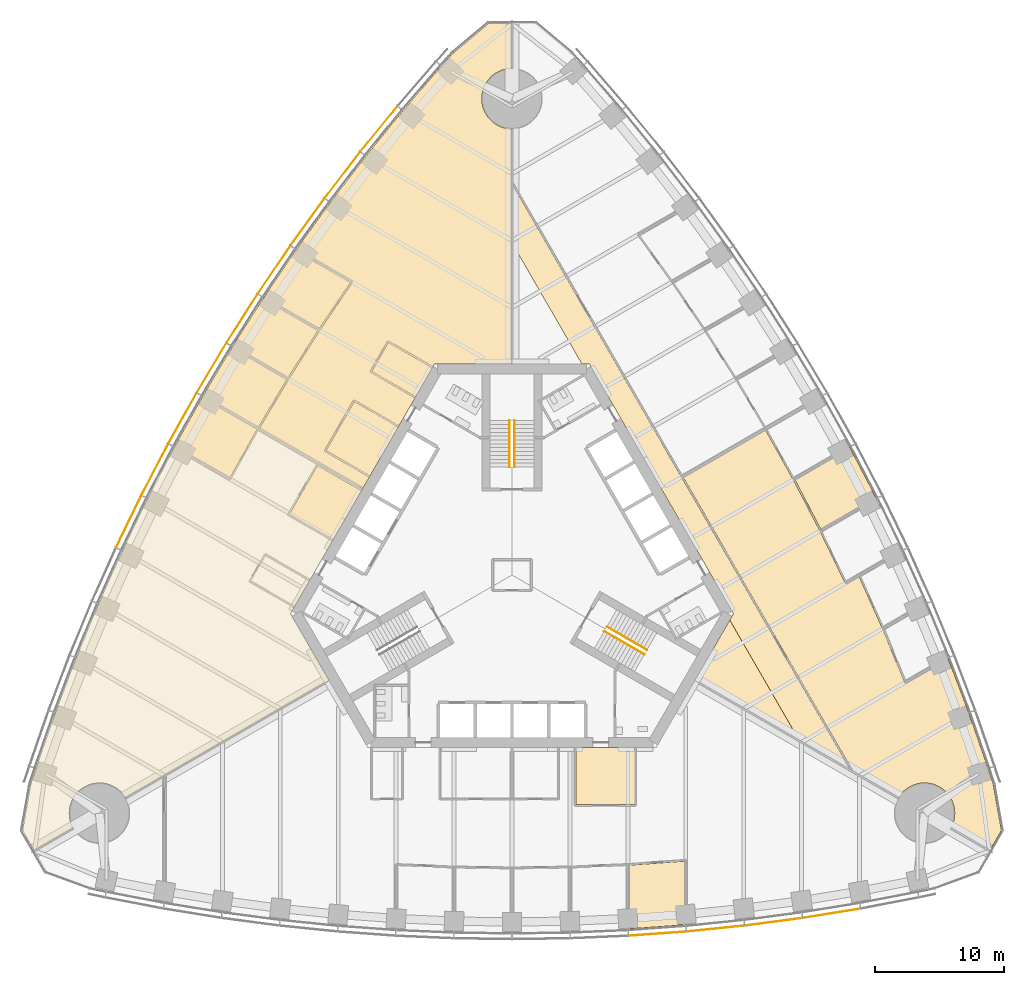
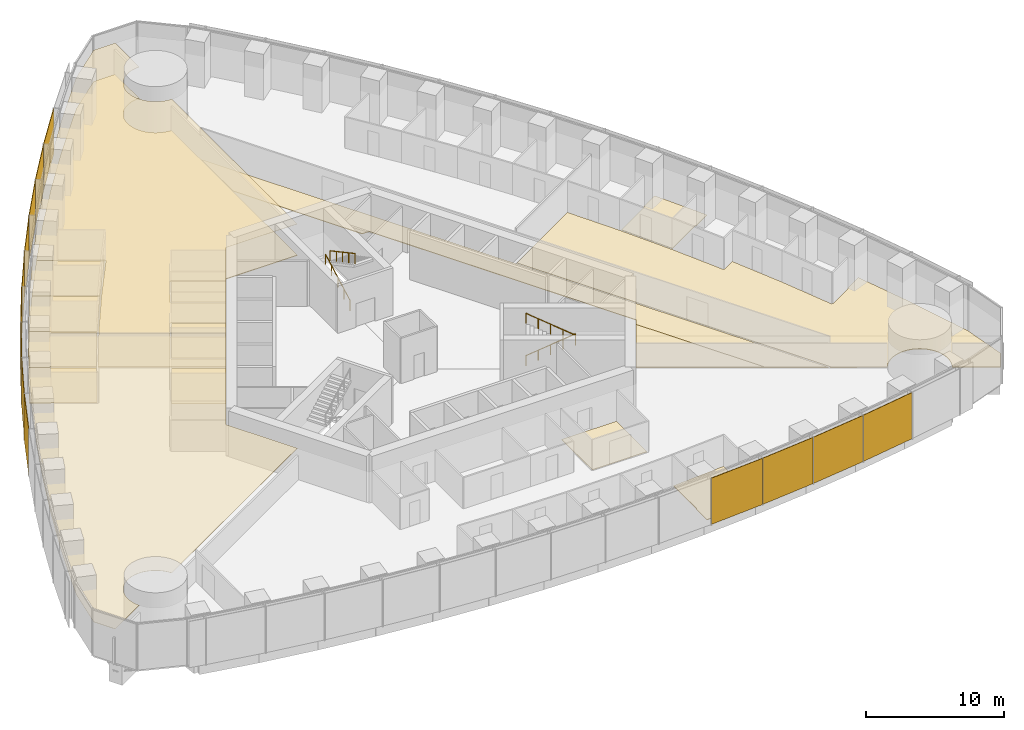
# One storey, part 15 of 18: 15 coverings, 13 shading devices, 4 railings.
"""IFC4 building model written with IfcOpenShell, lengths in metres."""

from ifc_helpers import new_model, si_unit, direction, frame, origin, origin_2d, place, context, subcontext, project, spatial, polyline, rectangle, circle, outline, extrude, material, layer, layer_set, type_object, element, save


model = new_model("IFC4")

# Units and contexts
model_context = context("Model", 3, precision=1e-05, world=origin(), true_north=direction((0.0, 1.0)))
body_context = subcontext(model_context, "Body", "Model", "MODEL_VIEW")
ifc_project = project(units=[si_unit("LENGTHUNIT", "METRE"), si_unit("AREAUNIT", "SQUARE_METRE"), si_unit("VOLUMEUNIT", "CUBIC_METRE"), si_unit("PLANEANGLEUNIT", "RADIAN"), si_unit("MASSUNIT", "GRAM", prefix="KILO")], contexts=[model_context])

# Site, building, storey
site_placement = place(None, origin())
site = spatial("IfcSite", under=ifc_project, at=site_placement, CompositionType="ELEMENT")
building_placement = place(site_placement, origin())
building = spatial("IfcBuilding", under=site, at=building_placement, Name="Trefoil Bronze Tower", CompositionType="ELEMENT")
storey_placement = place(building_placement, frame((0.0, 0.0, 41.699951171875)))
storey = spatial("IfcBuildingStorey", under=building, at=storey_placement, Name="L09", CompositionType="ELEMENT", Elevation=41.699951171875)

# Shading devices
ifc_material_1 = material(Name="Perforated bronze sheet", Category="bronze")
ifc_layer_1 = layer(ifc_material_1, 0.0400390625)
ifc_layer_set_1 = layer_set([ifc_layer_1], Name="Bronze solar screen panel")
shading_device_type = type_object("IfcShadingDeviceType", Name="Bronze solar screen panel", PredefinedType="SHUTTER", material=ifc_layer_set_1)
shading_device_1_placement = place(storey_placement, frame((11.2890625, -27.8623046875, 0.050048828125), z_axis=(0.0, 0.0, 1.0), x_axis=(0.99736502647, 0.072546564177, 0.0)))
element("IfcShadingDevice", 1, at=shading_device_1_placement, inside=storey, type_object=shading_device_type, Name="Solar screen CW-A L09 F1 bay 11", PredefinedType="SHUTTER", context=body_context, shape_type="SweptSolid", body=[
    extrude(rectangle(XDim=4.48193359375, YDim=0.0400390625, at=origin_2d()), origin(), (0.0, 0.0, 1.0), 4.10009765625),
])
shading_device_2_placement = place(storey_placement, frame((15.804931640625, -27.467529296875, 0.050048828125), z_axis=(0.0, 0.0, 1.0), x_axis=(0.994828880293, 0.101565244717, 0.0)))
element("IfcShadingDevice", 2, at=shading_device_2_placement, inside=storey, type_object=shading_device_type, Name="Solar screen CW-A L09 F1 bay 12", PredefinedType="SHUTTER", context=body_context, shape_type="SweptSolid", body=[
    extrude(rectangle(XDim=4.493408203125, YDim=0.0400390625, at=origin_2d()), origin(), (0.0, 0.0, 1.0), 4.10009765625),
])
shading_device_3_placement = place(storey_placement, frame((20.320556640625, -26.939697265625, 0.050048828125), z_axis=(0.0, 0.0, 1.0), x_axis=(0.991437251591, 0.130583981243, 0.0)))
element("IfcShadingDevice", 3, at=shading_device_3_placement, inside=storey, type_object=shading_device_type, Name="Solar screen CW-A L09 F1 bay 13", PredefinedType="SHUTTER", context=body_context, shape_type="SweptSolid", body=[
    extrude(rectangle(XDim=4.5087890625, YDim=0.0400390625, at=origin_2d()), origin(), (0.0, 0.0, 1.0), 4.10009765625),
])
for number, where, z_axis, x_axis, name in (
    (4, (24.836181640625, -26.277099609375, 0.050048828125), (0.0, 0.0, 1.0), (0.987181315145, 0.159602791421, 0.0), "Solar screen CW-A L09 F1 bay 14"),
    (5, (-10.338623046875, 34.6474609375, 0.050048828125), (0.0, 0.0, 1.0), (-0.631810729457, -0.775122701346, 0.0), "Solar screen CW-A L09 F3 bay 3"),
):
    element("IfcShadingDevice", number, at=place(storey_placement, frame(where, z_axis=z_axis, x_axis=x_axis)), inside=storey, type_object=shading_device_type, Name=name, PredefinedType="SHUTTER", context=body_context, shape_type="SweptSolid", body=[
        extrude(rectangle(XDim=4.5283203125, YDim=0.0400390625, at=origin_2d()), origin(), (0.0, 0.0, 1.0), 4.10009765625),
    ])
shading_device_4_placement = place(storey_placement, frame((-13.170166015625, 31.06787109375, 0.050048828125), z_axis=(0.0, 0.0, 1.0), x_axis=(-0.608807670879, -0.793317855515, 0.0)))
element("IfcShadingDevice", 6, at=shading_device_4_placement, inside=storey, type_object=shading_device_type, Name="Solar screen CW-A L09 F3 bay 4", PredefinedType="SHUTTER", context=body_context, shape_type="SweptSolid", body=[
    extrude(rectangle(XDim=4.5087890625, YDim=0.0400390625, at=origin_2d()), origin(), (0.0, 0.0, 1.0), 4.10009765625),
])
shading_device_5_placement = place(storey_placement, frame((-15.88525390625, 27.421142578125, 0.050048828125), z_axis=(0.0, 0.0, 1.0), x_axis=(-0.585372522213, -0.810764460394, 0.0)))
element("IfcShadingDevice", 7, at=shading_device_5_placement, inside=storey, type_object=shading_device_type, Name="Solar screen CW-A L09 F3 bay 5", PredefinedType="SHUTTER", context=body_context, shape_type="SweptSolid", body=[
    extrude(rectangle(XDim=4.493408203125, YDim=0.0400390625, at=origin_2d()), origin(), (0.0, 0.0, 1.0), 4.10009765625),
])
shading_device_6_placement = place(storey_placement, frame((-18.48486328125, 23.707763671875, 0.050048828125), z_axis=(0.0, 0.0, 1.0), x_axis=(-0.56150968077, -0.827470167681, 0.0)))
element("IfcShadingDevice", 8, at=shading_device_6_placement, inside=storey, type_object=shading_device_type, Name="Solar screen CW-A L09 F3 bay 6", PredefinedType="SHUTTER", context=body_context, shape_type="SweptSolid", body=[
    extrude(rectangle(XDim=4.48193359375, YDim=0.0400390625, at=origin_2d()), origin(), (0.0, 0.0, 1.0), 4.10009765625),
])
shading_device_7_placement = place(storey_placement, frame((-20.97021484375, 19.928466796875, 0.050048828125), z_axis=(0.0, 0.0, 1.0), x_axis=(-0.537222392469, -0.843440632783, 0.0)))
element("IfcShadingDevice", 9, at=shading_device_7_placement, inside=storey, type_object=shading_device_type, Name="Solar screen CW-A L09 F3 bay 7", PredefinedType="SHUTTER", context=body_context, shape_type="SweptSolid", body=[
    extrude(rectangle(XDim=4.474365234375, YDim=0.0400390625, at=origin_2d()), origin(), (0.0, 0.0, 1.0), 4.10009765625),
])
for number, where, z_axis, x_axis, name in (
    (10, (-23.341552734375, 16.083251953125, 0.050048828125), (0.0, 0.0, 1.0), (-0.51251279404, -0.858679588639, 0.0), "Solar screen CW-A L09 F3 bay 8"),
    (11, (-25.599365234375, 12.172607421875, 0.050048828125), (0.0, 0.0, 1.0), (-0.487381940453, -0.873188893722, 0.0), "Solar screen CW-A L09 F3 bay 9"),
):
    element("IfcShadingDevice", number, at=place(storey_placement, frame(where, z_axis=z_axis, x_axis=x_axis)), inside=storey, type_object=shading_device_type, Name=name, PredefinedType="SHUTTER", context=body_context, shape_type="SweptSolid", body=[
        extrude(rectangle(XDim=4.470458984375, YDim=0.0400390625, at=origin_2d()), origin(), (0.0, 0.0, 1.0), 4.10009765625),
    ])
shading_device_8_placement = place(storey_placement, frame((-27.74365234375, 8.1962890625, 0.050048828125), z_axis=(0.0, 0.0, 1.0), x_axis=(-0.46182981834, -0.886968555752, 0.0)))
element("IfcShadingDevice", 12, at=shading_device_8_placement, inside=storey, type_object=shading_device_type, Name="Solar screen CW-A L09 F3 bay 10", PredefinedType="SHUTTER", context=body_context, shape_type="SweptSolid", body=[
    extrude(rectangle(XDim=4.474365234375, YDim=0.0400390625, at=origin_2d()), origin(), (0.0, 0.0, 1.0), 4.10009765625),
])
shading_device_9_placement = place(storey_placement, frame((-29.77392578125, 4.154541015625, 0.050048828125), z_axis=(0.0, 0.0, 1.0), x_axis=(-0.4358553457, -0.900016731858, 0.0)))
element("IfcShadingDevice", 13, at=shading_device_9_placement, inside=storey, type_object=shading_device_type, Name="Solar screen CW-A L09 F3 bay 11", PredefinedType="SHUTTER", context=body_context, shape_type="SweptSolid", body=[
    extrude(rectangle(XDim=4.48193359375, YDim=0.0400390625, at=origin_2d()), origin(), (0.0, 0.0, 1.0), 4.10009765625),
])

# Railings
ifc_material_2 = material(Name="Steel handrail", Category="steel")
railing_type = type_object("IfcRailingType", Name="Handrail 900", PredefinedType="HANDRAIL", material=ifc_material_2)
railing_1_placement = place(storey_placement, frame((7.365966796875, -4.021728515625, 0.16162109375)))
element("IfcRailing", 14, at=railing_1_placement, inside=storey, type_object=railing_type, Name="Handrail ST1 flight 1 L09", PredefinedType="HANDRAIL", context=body_context, shape_type="SweptSolid", body=[
    extrude(circle(Radius=0.02392578125, at=origin_2d()), frame((0.0, 0.0, 0.8759765625), z_axis=(0.76250339821, -0.440245697338, 0.474101564745), x_axis=(0.500012057535, 0.866018442252, 0.0)), (0.0, 0.0, 1.0), 4.088623046875),
    extrude(circle(Radius=0.02099609375, at=origin_2d()), origin(), (0.0, 0.0, 1.0), 0.851806640625),
    extrude(circle(Radius=0.02099609375, at=origin_2d()), frame((0.779296875, -0.449951171875, 0.484619140625)), (0.0, 0.0, 1.0), 0.851806640625),
    extrude(circle(Radius=0.02099609375, at=origin_2d()), frame((1.558837890625, -0.89990234375, 0.96923828125)), (0.0, 0.0, 1.0), 0.851806640625),
    extrude(circle(Radius=0.02099609375, at=origin_2d()), frame((2.33837890625, -1.35009765625, 1.453857421875)), (0.0, 0.0, 1.0), 0.851806640625),
    extrude(circle(Radius=0.02099609375, at=origin_2d()), frame((3.11767578125, -1.800048828125, 1.9384765625)), (0.0, 0.0, 1.0), 0.851806640625),
])
railing_2_placement = place(storey_placement, frame((10.28369140625, -6.168212890625, 2.261474609375)))
element("IfcRailing", 15, at=railing_2_placement, inside=storey, type_object=railing_type, Name="Handrail ST1 flight 2 L09", PredefinedType="HANDRAIL", context=body_context, shape_type="SweptSolid", body=[
    extrude(circle(Radius=0.02392578125, at=origin_2d()), frame((0.0, 0.0, 0.8759765625), z_axis=(-0.76250339821, 0.440245697338, 0.474101564745), x_axis=(-0.500012057535, -0.866018442252, 0.0)), (0.0, 0.0, 1.0), 4.088623046875),
    extrude(circle(Radius=0.02099609375, at=origin_2d()), origin(), (0.0, 0.0, 1.0), 0.851806640625),
    extrude(circle(Radius=0.02099609375, at=origin_2d()), frame((-0.779296875, 0.449951171875, 0.484619140625)), (0.0, 0.0, 1.0), 0.851806640625),
    extrude(circle(Radius=0.02099609375, at=origin_2d()), frame((-1.558837890625, 0.89990234375, 0.96923828125)), (0.0, 0.0, 1.0), 0.851806640625),
    extrude(circle(Radius=0.02099609375, at=origin_2d()), frame((-2.33837890625, 1.35009765625, 1.453857421875)), (0.0, 0.0, 1.0), 0.851806640625),
    extrude(circle(Radius=0.02099609375, at=origin_2d()), frame((-3.11767578125, 1.800048828125, 1.9384765625)), (0.0, 0.0, 1.0), 0.851806640625),
])
railing_3_placement = place(storey_placement, frame((-0.199951171875, 8.389892578125, 0.16162109375)))
element("IfcRailing", 16, at=railing_3_placement, inside=storey, type_object=railing_type, Name="Handrail ST2 flight 1 L09", PredefinedType="HANDRAIL", context=body_context, shape_type="SweptSolid", body=[
    extrude(circle(Radius=0.02392578125, at=origin_2d()), frame((0.0, 0.0, 0.8759765625), z_axis=(0.0, 0.880474934443, 0.474092701714), x_axis=(-1.0, 0.0, 0.0)), (0.0, 0.0, 1.0), 4.0888671875),
    extrude(circle(Radius=0.02099609375, at=origin_2d()), origin(), (0.0, 0.0, 1.0), 0.851806640625),
    extrude(circle(Radius=0.02099609375, at=origin_2d()), frame((0.0, 0.89990234375, 0.484619140625)), (0.0, 0.0, 1.0), 0.851806640625),
    extrude(circle(Radius=0.02099609375, at=origin_2d()), frame((0.0, 1.800048828125, 0.96923828125)), (0.0, 0.0, 1.0), 0.851806640625),
    extrude(circle(Radius=0.02099609375, at=origin_2d()), frame((0.0, 2.7001953125, 1.453857421875)), (0.0, 0.0, 1.0), 0.851806640625),
    extrude(circle(Radius=0.02099609375, at=origin_2d()), frame((0.0, 3.60009765625, 1.9384765625)), (0.0, 0.0, 1.0), 0.851806640625),
])
railing_4_placement = place(storey_placement, frame((0.199951171875, 11.989990234375, 2.261474609375)))
element("IfcRailing", 17, at=railing_4_placement, inside=storey, type_object=railing_type, Name="Handrail ST2 flight 2 L09", PredefinedType="HANDRAIL", context=body_context, shape_type="SweptSolid", body=[
    extrude(circle(Radius=0.02392578125, at=origin_2d()), frame((0.0, 0.0, 0.8759765625), z_axis=(0.0, -0.880474934443, 0.474092701714), x_axis=(1.0, 0.0, 0.0)), (0.0, 0.0, 1.0), 4.0888671875),
    extrude(circle(Radius=0.02099609375, at=origin_2d()), origin(), (0.0, 0.0, 1.0), 0.851806640625),
    extrude(circle(Radius=0.02099609375, at=origin_2d()), frame((0.0, -0.89990234375, 0.484619140625)), (0.0, 0.0, 1.0), 0.851806640625),
    extrude(circle(Radius=0.02099609375, at=origin_2d()), frame((0.0, -1.800048828125, 0.96923828125)), (0.0, 0.0, 1.0), 0.851806640625),
    extrude(circle(Radius=0.02099609375, at=origin_2d()), frame((0.0, -2.7001953125, 1.453857421875)), (0.0, 0.0, 1.0), 0.851806640625),
    extrude(circle(Radius=0.02099609375, at=origin_2d()), frame((0.0, -3.60009765625, 1.9384765625)), (0.0, 0.0, 1.0), 0.851806640625),
])

# Coverings
ifc_material_3 = material(Name="Acoustic ceiling panels", Category="mineral fibre")
ifc_layer_2 = layer(ifc_material_3, 0.02001953125)
ifc_layer_set_2 = layer_set([ifc_layer_2], Name="Office ceiling 20")
covering_type_1 = type_object("IfcCoveringType", Name="Office ceiling 20", PredefinedType="CEILING", material=ifc_layer_set_2)
covering_1_placement = place(storey_placement, frame((0.0, 0.0, 2.900146484375)))
element("IfcCovering", 18, at=covering_1_placement, inside=storey, type_object=covering_type_1, Name="Ceiling L09 Open-plan office F3", PredefinedType="CEILING", context=body_context, shape_type="SweptSolid", body=[
    extrude(outline(polyline([(-36.9814453125, -15.021728515625), (-35.47998046875, -10.6923828125), (-33.860107421875, -6.431640625), (-32.123291015625, -2.23828125), (-30.271240234375, 1.888671875), (-28.3046875, 5.949462890625), (-26.224609375, 9.944580078125), (-24.031005859375, 13.87451171875), (-21.724609375, 17.73876953125), (-19.3046875, 21.537841796875), (-16.771240234375, 25.271484375), (-14.123291015625, 28.938720703125), (-11.360107421875, 32.53955078125), (-8.47998046875, 36.072998046875), (-5.4814453125, 39.537841796875), (-4.618896484375, 40.497314453125), (-1.82421875, 42.84228515625), (-0.01611328125, 42.84228515625), (-0.014892578125, 39.349609375), (-0.115234375, 39.34716796875), (-0.230224609375, 39.338623046875), (-0.3447265625, 39.32470703125), (-0.45849609375, 39.3046875), (-0.571044921875, 39.279541015625), (-0.68212890625, 39.248779296875), (-0.791748046875, 39.212646484375), (-0.8994140625, 39.171142578125), (-1.0048828125, 39.12451171875), (-1.10791015625, 39.072509765625), (-1.2080078125, 39.015625), (-1.3056640625, 38.9541015625), (-1.39990234375, 38.887451171875), (-1.49072265625, 38.816650390625), (-1.578125, 38.7412109375), (-1.66162109375, 38.66162109375), (-1.7412109375, 38.578125), (-1.816650390625, 38.49072265625), (-1.887451171875, 38.39990234375), (-1.9541015625, 38.3056640625), (-2.015625, 38.2080078125), (-2.072509765625, 38.10791015625), (-2.12451171875, 38.0048828125), (-2.171142578125, 37.8994140625), (-2.212646484375, 37.791748046875), (-2.248779296875, 37.68212890625), (-2.279541015625, 37.571044921875), (-2.3046875, 37.45849609375), (-2.32470703125, 37.3447265625), (-2.338623046875, 37.230224609375), (-2.34716796875, 37.115234375), (-2.35009765625, 37.0), (-2.34716796875, 36.884765625), (-2.338623046875, 36.769775390625), (-2.32470703125, 36.6552734375), (-2.3046875, 36.54150390625), (-2.279541015625, 36.428955078125), (-2.248779296875, 36.31787109375), (-2.212646484375, 36.208251953125), (-2.171142578125, 36.1005859375), (-2.12451171875, 35.9951171875), (-2.072509765625, 35.89208984375), (-2.015625, 35.7919921875), (-1.9541015625, 35.6943359375), (-1.887451171875, 35.60009765625), (-1.816650390625, 35.50927734375), (-1.7412109375, 35.421875), (-1.66162109375, 35.33837890625), (-1.578125, 35.2587890625), (-1.49072265625, 35.183349609375), (-1.39990234375, 35.112548828125), (-1.3056640625, 35.0458984375), (-1.2080078125, 34.984375), (-1.10791015625, 34.927490234375), (-1.0048828125, 34.87548828125), (-0.8994140625, 34.828857421875), (-0.791748046875, 34.787353515625), (-0.68212890625, 34.751220703125), (-0.571044921875, 34.720458984375), (-0.45849609375, 34.6953125), (-0.3447265625, 34.67529296875), (-0.230224609375, 34.661376953125), (-0.115234375, 34.65283203125), (-0.012939453125, 34.650390625), (-0.006103515625, 16.39990234375), (-6.00439453125, 16.39990234375), (-17.205078125, -3.0), (-14.205810546875, -8.194580078125), (-30.0146484375, -17.31396484375), (-30.02734375, -17.2919921875), (-30.089111328125, -17.1943359375), (-30.155517578125, -17.10009765625), (-30.226318359375, -17.00927734375), (-30.3017578125, -16.921875), (-30.381103515625, -16.83837890625), (-30.46484375, -16.7587890625), (-30.552001953125, -16.683349609375), (-30.64306640625, -16.612548828125), (-30.7373046875, -16.5458984375), (-30.834716796875, -16.484375), (-30.935302734375, -16.427490234375), (-31.0380859375, -16.37548828125), (-31.1435546875, -16.328857421875), (-31.251220703125, -16.287353515625), (-31.36083984375, -16.251220703125), (-31.471923828125, -16.220458984375), (-31.58447265625, -16.1953125), (-31.697998046875, -16.17529296875), (-31.8125, -16.161376953125), (-31.927490234375, -16.15283203125), (-32.04296875, -16.14990234375), (-32.158203125, -16.15283203125), (-32.273193359375, -16.161376953125), (-32.3876953125, -16.17529296875), (-32.50146484375, -16.1953125), (-32.614013671875, -16.220458984375), (-32.72509765625, -16.251220703125), (-32.834716796875, -16.287353515625), (-32.942138671875, -16.328857421875), (-33.047607421875, -16.37548828125), (-33.150634765625, -16.427490234375), (-33.251220703125, -16.484375), (-33.348388671875, -16.5458984375), (-33.44287109375, -16.612548828125), (-33.53369140625, -16.683349609375), (-33.62109375, -16.7587890625), (-33.70458984375, -16.83837890625), (-33.7841796875, -16.921875), (-33.859619140625, -17.00927734375), (-33.930419921875, -17.10009765625), (-33.996826171875, -17.1943359375), (-34.05859375, -17.2919921875), (-34.115478515625, -17.39208984375), (-34.167236328125, -17.4951171875), (-34.214111328125, -17.6005859375), (-34.255615234375, -17.708251953125), (-34.291748046875, -17.81787109375), (-34.322509765625, -17.928955078125), (-34.347900390625, -18.04150390625), (-34.367431640625, -18.1552734375), (-34.381591796875, -18.269775390625), (-34.39013671875, -18.384765625), (-34.392822265625, -18.5), (-34.39013671875, -18.615234375), (-34.381591796875, -18.730224609375), (-34.367431640625, -18.8447265625), (-34.347900390625, -18.95849609375), (-34.322509765625, -19.071044921875), (-34.291748046875, -19.18212890625), (-34.255615234375, -19.291748046875), (-34.214111328125, -19.3994140625), (-34.167236328125, -19.5048828125), (-34.115478515625, -19.60791015625), (-34.084716796875, -19.661865234375), (-37.110595703125, -21.4072265625), (-38.0146484375, -19.841552734375), (-37.381103515625, -16.248779296875), (-36.9814453125, -15.021728515625)])), origin(), (0.0, 0.0, 1.0), 0.02001953125),
])
ifc_material_4 = material(Name="Raised access floor panels", Category="steel")
ifc_layer_3 = layer(ifc_material_4, 0.050048828125)
ifc_layer_set_3 = layer_set([ifc_layer_3], Name="Raised access floor 150")
covering_type_2 = type_object("IfcCoveringType", Name="Raised access floor 150", PredefinedType="FLOORING", material=ifc_layer_set_3)
covering_2_placement = place(storey_placement, frame((0.0, 0.0, 0.10009765625)))
element("IfcCovering", 19, at=covering_2_placement, inside=storey, type_object=covering_type_2, Name="Raised floor L09 Reception F1", PredefinedType="FLOORING", context=body_context, shape_type="SweptSolid", body=[
    extrude(outline(polyline([(9.5400390625, -13.39990234375), (9.5400390625, -17.840087890625), (4.9599609375, -17.840087890625), (4.9599609375, -13.39990234375), (9.5400390625, -13.39990234375)])), origin(), (0.0, 0.0, 1.0), 0.050048828125),
])
covering_3_placement = place(storey_placement, frame((0.0, 0.0, 0.10009765625)))
element("IfcCovering", 20, at=covering_3_placement, inside=storey, type_object=covering_type_2, Name="Raised floor L09 Office F1", PredefinedType="FLOORING", context=body_context, shape_type="SweptSolid", body=[
    extrude(outline(polyline([(13.5, -27.159912109375), (9.0, -27.4873046875), (9.0, -25.90478515625), (9.06005859375, -25.90478515625), (9.06005859375, -22.543212890625), (13.43994140625, -22.224609375), (13.43994140625, -25.573974609375), (13.5, -25.573974609375), (13.5, -27.159912109375)])), origin(), (0.0, 0.0, 1.0), 0.050048828125),
])
covering_4_placement = place(storey_placement, frame((0.0, 0.0, 0.10009765625)))
element("IfcCovering", 21, at=covering_4_placement, inside=storey, type_object=covering_type_2, Name="Raised floor L09 Meeting room F2", PredefinedType="FLOORING", context=body_context, shape_type="SweptSolid", body=[
    extrude(outline(polyline([(26.224609375, 9.944580078125), (28.3046875, 5.949462890625), (26.93408203125, 5.158203125), (26.904052734375, 5.210205078125), (23.998779296875, 3.53271484375), (21.97412109375, 7.42138671875), (24.885498046875, 9.102294921875), (24.855712890625, 9.154296875), (26.224609375, 9.944580078125)])), origin(), (0.0, 0.0, 1.0), 0.050048828125),
])
covering_5_placement = place(storey_placement, frame((0.0, 0.0, 0.10009765625)))
element("IfcCovering", 22, at=covering_5_placement, inside=storey, type_object=covering_type_2, Name="Raised floor L09 Corridor F2", PredefinedType="FLOORING", context=body_context, shape_type="SweptSolid", body=[
    extrude(outline(polyline([(26.31591796875, -15.180419921875), (22.333740234375, -12.88330078125), (16.91650390625, -3.5), (17.205078125, -3.0), (6.00439453125, 16.39990234375), (5.427001953125, 16.39990234375), (0.009765625, 25.783203125), (0.011474609375, 30.38037109375), (26.31591796875, -15.180419921875)])), origin(), (0.0, 0.0, 1.0), 0.050048828125),
])
covering_6_placement = place(storey_placement, frame((0.0, 0.0, 0.10009765625)))
element("IfcCovering", 23, at=covering_6_placement, inside=storey, type_object=covering_type_2, Name="Raised floor L09 Open-plan office F2", PredefinedType="FLOORING", context=body_context, shape_type="SweptSolid", body=[
    extrude(outline(polyline([(30.089111328125, -17.1943359375), (30.02734375, -17.2919921875), (30.0146484375, -17.31396484375), (26.40966796875, -15.234375), (26.466552734375, -15.201416015625), (13.304931640625, 7.594970703125), (19.685546875, 11.27880859375), (21.841552734375, 7.416015625), (23.9208984375, 3.422607421875), (25.88720703125, -0.637451171875), (25.941162109375, -0.611328125), (25.97119140625, -0.663330078125), (26.952880859375, -0.096435546875), (28.77734375, -4.161865234375), (30.513916015625, -8.3544921875), (30.569091796875, -8.33154296875), (30.59912109375, -8.383544921875), (32.507080078125, -7.281982421875), (32.477294921875, -7.22998046875), (33.860107421875, -6.431640625), (35.47998046875, -10.6923828125), (36.9814453125, -15.021728515625), (37.381103515625, -16.248779296875), (38.0146484375, -19.841552734375), (37.110595703125, -21.4072265625), (34.084716796875, -19.661865234375), (34.115478515625, -19.60791015625), (34.167236328125, -19.5048828125), (34.214111328125, -19.3994140625), (34.255615234375, -19.291748046875), (34.291748046875, -19.18212890625), (34.322509765625, -19.071044921875), (34.347900390625, -18.95849609375), (34.367431640625, -18.8447265625), (34.381591796875, -18.730224609375), (34.39013671875, -18.615234375), (34.392822265625, -18.5), (34.39013671875, -18.384765625), (34.381591796875, -18.269775390625), (34.367431640625, -18.1552734375), (34.347900390625, -18.04150390625), (34.322509765625, -17.928955078125), (34.291748046875, -17.81787109375), (34.255615234375, -17.708251953125), (34.214111328125, -17.6005859375), (34.167236328125, -17.4951171875), (34.115478515625, -17.39208984375), (34.05859375, -17.2919921875), (33.996826171875, -17.1943359375), (33.930419921875, -17.10009765625), (33.859619140625, -17.00927734375), (33.7841796875, -16.921875), (33.70458984375, -16.83837890625), (33.62109375, -16.7587890625), (33.53369140625, -16.683349609375), (33.44287109375, -16.612548828125), (33.348388671875, -16.5458984375), (33.251220703125, -16.484375), (33.150634765625, -16.427490234375), (33.047607421875, -16.37548828125), (32.942138671875, -16.328857421875), (32.834716796875, -16.287353515625), (32.72509765625, -16.251220703125), (32.614013671875, -16.220458984375), (32.50146484375, -16.1953125), (32.3876953125, -16.17529296875), (32.273193359375, -16.161376953125), (32.158203125, -16.15283203125), (32.04296875, -16.14990234375), (31.927490234375, -16.15283203125), (31.8125, -16.161376953125), (31.697998046875, -16.17529296875), (31.58447265625, -16.1953125), (31.471923828125, -16.220458984375), (31.36083984375, -16.251220703125), (31.251220703125, -16.287353515625), (31.1435546875, -16.328857421875), (31.0380859375, -16.37548828125), (30.935302734375, -16.427490234375), (30.834716796875, -16.484375), (30.7373046875, -16.5458984375), (30.64306640625, -16.612548828125), (30.552001953125, -16.683349609375), (30.46484375, -16.7587890625), (30.381103515625, -16.83837890625), (30.3017578125, -16.921875), (30.226318359375, -17.00927734375), (30.155517578125, -17.10009765625), (30.089111328125, -17.1943359375)])), origin(), (0.0, 0.0, 1.0), 0.050048828125),
])
covering_7_placement = place(storey_placement, frame((0.0, 0.0, 0.10009765625)))
element("IfcCovering", 24, at=covering_7_placement, inside=storey, type_object=covering_type_2, Name="Raised floor L09 Open-plan office F2", PredefinedType="FLOORING", context=body_context, shape_type="SweptSolid", body=[
    extrude(outline(polyline([(22.333740234375, -12.88330078125), (14.205810546875, -8.194580078125), (16.91650390625, -3.5), (22.333740234375, -12.88330078125)])), origin(), (0.0, 0.0, 1.0), 0.050048828125),
])
covering_8_placement = place(storey_placement, frame((0.0, 0.0, 0.10009765625)))
element("IfcCovering", 25, at=covering_8_placement, inside=storey, type_object=covering_type_2, Name="Raised floor L09 Project room F3", PredefinedType="FLOORING", context=body_context, shape_type="SweptSolid", body=[
    extrude(outline(polyline([(-11.024658203125, 7.70458984375), (-14.43701171875, 9.674560546875), (-12.246826171875, 13.4677734375), (-8.834716796875, 11.497802734375), (-11.024658203125, 7.70458984375)])), origin(), (0.0, 0.0, 1.0), 0.050048828125),
])
covering_9_placement = place(storey_placement, frame((0.0, 0.0, 0.10009765625)))
element("IfcCovering", 26, at=covering_9_placement, inside=storey, type_object=covering_type_2, Name="Raised floor L09 Project room F3", PredefinedType="FLOORING", context=body_context, shape_type="SweptSolid", body=[
    extrude(outline(polyline([(-13.88720703125, 2.74658203125), (-17.29931640625, 4.716552734375), (-15.109375, 8.509765625), (-11.697265625, 6.539794921875), (-13.88720703125, 2.74658203125)])), origin(), (0.0, 0.0, 1.0), 0.050048828125),
])
covering_10_placement = place(storey_placement, frame((0.0, 0.0, 0.10009765625)))
element("IfcCovering", 27, at=covering_10_placement, inside=storey, type_object=covering_type_2, Name="Raised floor L09 Pantry F3", PredefinedType="FLOORING", context=body_context, shape_type="SweptSolid", body=[
    extrude(outline(polyline([(-7.474609375, 13.853515625), (-10.886962890625, 15.823486328125), (-9.596923828125, 18.0576171875), (-6.184814453125, 16.087646484375), (-7.474609375, 13.853515625)])), origin(), (0.0, 0.0, 1.0), 0.050048828125),
])
covering_11_placement = place(storey_placement, frame((0.0, 0.0, 0.10009765625)))
element("IfcCovering", 28, at=covering_11_placement, inside=storey, type_object=covering_type_2, Name="Raised floor L09 Office F3", PredefinedType="FLOORING", context=body_context, shape_type="SweptSolid", body=[
    extrude(outline(polyline([(-19.3046875, 21.537841796875), (-16.771240234375, 25.271484375), (-15.397705078125, 24.478515625), (-15.427734375, 24.426513671875), (-12.527099609375, 22.751708984375), (-14.992919921875, 19.117919921875), (-17.904052734375, 20.798583984375), (-17.93408203125, 20.74658203125), (-19.3046875, 21.537841796875)])), origin(), (0.0, 0.0, 1.0), 0.050048828125),
])
covering_12_placement = place(storey_placement, frame((0.0, 0.0, 0.10009765625)))
element("IfcCovering", 29, at=covering_12_placement, inside=storey, type_object=covering_type_2, Name="Raised floor L09 Office F3", PredefinedType="FLOORING", context=body_context, shape_type="SweptSolid", body=[
    extrude(outline(polyline([(-19.3046875, 21.537841796875), (-17.93408203125, 20.74658203125), (-17.964111328125, 20.694580078125), (-15.058837890625, 19.017333984375), (-17.414306640625, 15.319580078125), (-20.32568359375, 17.00048828125), (-20.355712890625, 16.948486328125), (-21.724609375, 17.73876953125), (-19.3046875, 21.537841796875)])), origin(), (0.0, 0.0, 1.0), 0.050048828125),
])
covering_13_placement = place(storey_placement, frame((0.0, 0.0, 0.10009765625)))
element("IfcCovering", 30, at=covering_13_placement, inside=storey, type_object=covering_type_2, Name="Raised floor L09 Office F3", PredefinedType="FLOORING", context=body_context, shape_type="SweptSolid", body=[
    extrude(outline(polyline([(-24.031005859375, 13.87451171875), (-21.724609375, 17.73876953125), (-20.355712890625, 16.948486328125), (-20.385498046875, 16.896484375), (-17.47705078125, 15.21728515625), (-19.714599609375, 11.46875), (-22.625244140625, 13.1494140625), (-22.662841796875, 13.08447265625), (-24.031005859375, 13.87451171875)])), origin(), (0.0, 0.0, 1.0), 0.050048828125),
])
covering_14_placement = place(storey_placement, frame((0.0, 0.0, 0.10009765625)))
element("IfcCovering", 31, at=covering_14_placement, inside=storey, type_object=covering_type_2, Name="Raised floor L09 Meeting room F3", PredefinedType="FLOORING", context=body_context, shape_type="SweptSolid", body=[
    extrude(outline(polyline([(-26.224609375, 9.944580078125), (-24.031005859375, 13.87451171875), (-22.662841796875, 13.08447265625), (-22.7001953125, 13.019287109375), (-19.78955078125, 11.3388671875), (-21.9169921875, 7.527099609375), (-24.82568359375, 9.206298828125), (-24.855712890625, 9.154296875), (-26.224609375, 9.944580078125)])), origin(), (0.0, 0.0, 1.0), 0.050048828125),
])
covering_15_placement = place(storey_placement, frame((0.0, 0.0, 0.10009765625)))
element("IfcCovering", 32, at=covering_15_placement, inside=storey, type_object=covering_type_2, Name="Raised floor L09 Open-plan office F3", PredefinedType="FLOORING", context=body_context, shape_type="SweptSolid", body=[
    extrude(outline(polyline([(-14.123291015625, 28.938720703125), (-11.360107421875, 32.53955078125), (-8.47998046875, 36.072998046875), (-5.4814453125, 39.537841796875), (-4.618896484375, 40.497314453125), (-1.82421875, 42.84228515625), (-0.01611328125, 42.84228515625), (-0.014892578125, 39.349609375), (-0.115234375, 39.34716796875), (-0.230224609375, 39.338623046875), (-0.3447265625, 39.32470703125), (-0.45849609375, 39.3046875), (-0.571044921875, 39.279541015625), (-0.68212890625, 39.248779296875), (-0.791748046875, 39.212646484375), (-0.8994140625, 39.171142578125), (-1.0048828125, 39.12451171875), (-1.10791015625, 39.072509765625), (-1.2080078125, 39.015625), (-1.3056640625, 38.9541015625), (-1.39990234375, 38.887451171875), (-1.49072265625, 38.816650390625), (-1.578125, 38.7412109375), (-1.66162109375, 38.66162109375), (-1.7412109375, 38.578125), (-1.816650390625, 38.49072265625), (-1.887451171875, 38.39990234375), (-1.9541015625, 38.3056640625), (-2.015625, 38.2080078125), (-2.072509765625, 38.10791015625), (-2.12451171875, 38.0048828125), (-2.171142578125, 37.8994140625), (-2.212646484375, 37.791748046875), (-2.248779296875, 37.68212890625), (-2.279541015625, 37.571044921875), (-2.3046875, 37.45849609375), (-2.32470703125, 37.3447265625), (-2.338623046875, 37.230224609375), (-2.34716796875, 37.115234375), (-2.35009765625, 37.0), (-2.34716796875, 36.884765625), (-2.338623046875, 36.769775390625), (-2.32470703125, 36.6552734375), (-2.3046875, 36.54150390625), (-2.279541015625, 36.428955078125), (-2.248779296875, 36.31787109375), (-2.212646484375, 36.208251953125), (-2.171142578125, 36.1005859375), (-2.12451171875, 35.9951171875), (-2.072509765625, 35.89208984375), (-2.015625, 35.7919921875), (-1.9541015625, 35.6943359375), (-1.887451171875, 35.60009765625), (-1.816650390625, 35.50927734375), (-1.7412109375, 35.421875), (-1.66162109375, 35.33837890625), (-1.578125, 35.2587890625), (-1.49072265625, 35.183349609375), (-1.39990234375, 35.112548828125), (-1.3056640625, 35.0458984375), (-1.2080078125, 34.984375), (-1.10791015625, 34.927490234375), (-1.0048828125, 34.87548828125), (-0.8994140625, 34.828857421875), (-0.791748046875, 34.787353515625), (-0.68212890625, 34.751220703125), (-0.571044921875, 34.720458984375), (-0.45849609375, 34.6953125), (-0.3447265625, 34.67529296875), (-0.230224609375, 34.661376953125), (-0.115234375, 34.65283203125), (-0.012939453125, 34.650390625), (-0.006103515625, 16.39990234375), (-6.00439453125, 16.39990234375), (-6.124755859375, 16.191650390625), (-9.5888671875, 18.191650390625), (-9.618896484375, 18.1396484375), (-9.6708984375, 18.169677734375), (-11.020751953125, 15.831298828125), (-10.96875, 15.801513671875), (-10.998779296875, 15.74951171875), (-7.53466796875, 13.74951171875), (-8.774658203125, 11.601806640625), (-12.23876953125, 13.601806640625), (-12.268798828125, 13.5498046875), (-12.32080078125, 13.57958984375), (-14.57080078125, 9.6826171875), (-14.518798828125, 9.652587890625), (-14.548828125, 9.6005859375), (-11.084716796875, 7.6005859375), (-11.604248046875, 6.700927734375), (-11.61279296875, 6.705810546875), (-11.575927734375, 6.77001953125), (-19.610595703125, 11.40869140625), (-17.34326171875, 15.207275390625), (-14.924560546875, 19.0048828125), (-12.3916015625, 22.73779296875), (-12.441162109375, 22.771484375), (-12.4111328125, 22.8232421875), (-15.367919921875, 24.5302734375), (-15.397705078125, 24.478515625), (-16.771240234375, 25.271484375), (-14.123291015625, 28.938720703125)])), origin(), (0.0, 0.0, 1.0), 0.050048828125),
])

save(model, "model.ifc")
